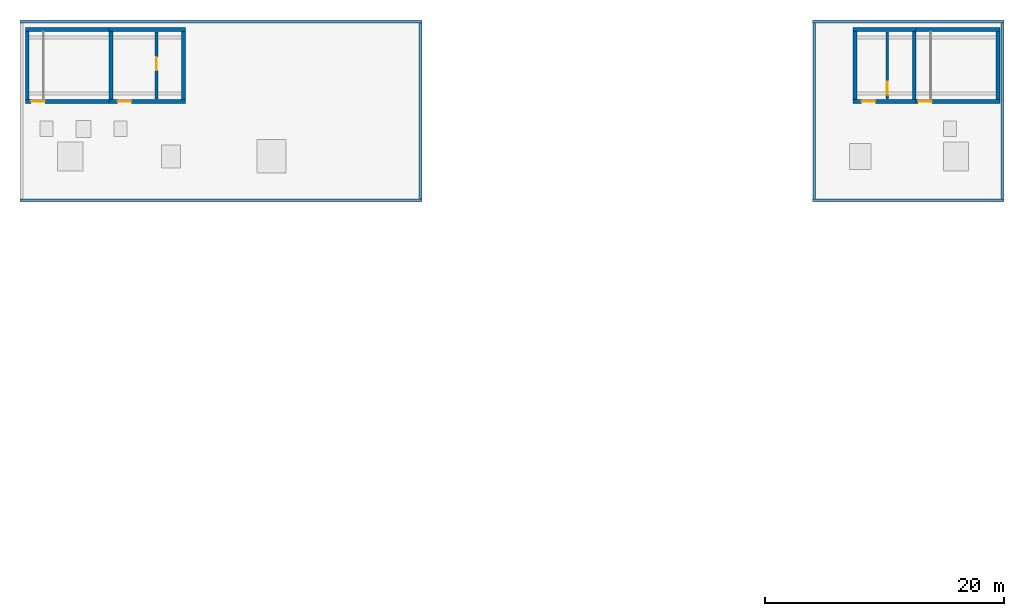
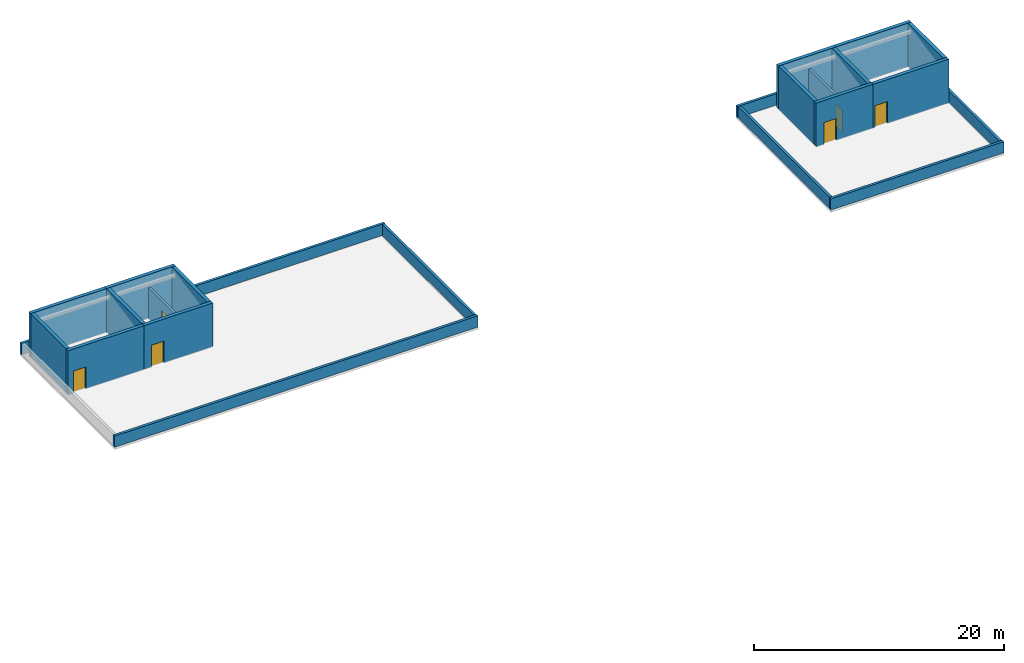
# One storey, part 14 of 19: 23 walls, 6 doors, 6 openings.
"""IFC4 building model written with IfcOpenShell, lengths in metres."""

from ifc_helpers import new_model, si_unit, direction, frame, frame_2d, origin, place, context, subcontext, project, spatial, rectangle, extrude, material, layer, layer_set, type_object, element, fill, save


model = new_model("IFC4")

# Units and contexts
model_context = context("Model", 3, precision=1e-05, world=origin(), true_north=direction((0.0, 1.0)))
body_context = subcontext(model_context, "Body", "Model", "MODEL_VIEW")
ifc_project = project(units=[si_unit("LENGTHUNIT", "METRE"), si_unit("AREAUNIT", "SQUARE_METRE"), si_unit("VOLUMEUNIT", "CUBIC_METRE"), si_unit("PLANEANGLEUNIT", "RADIAN"), si_unit("MASSUNIT", "GRAM", prefix="KILO")], contexts=[model_context])

# Site, building, storey
site_placement = place(None, origin())
site = spatial("IfcSite", under=ifc_project, at=site_placement, CompositionType="ELEMENT")
building_placement = place(site_placement, origin())
building = spatial("IfcBuilding", under=site, at=building_placement, Name="Montecoro Central Library", CompositionType="ELEMENT")
storey_placement = place(building_placement, frame((0.0, 0.0, 25.5)))
storey = spatial("IfcBuildingStorey", under=building, at=storey_placement, Name="ROOF", CompositionType="ELEMENT", Elevation=25.5)

# Wall, opening, door
ifc_material_1 = material(Name="Roman travertine and concrete C35/45", Category="masonry")
ifc_layer_1 = layer(ifc_material_1, 0.320068359375)
ifc_layer_set_1 = layer_set([ifc_layer_1], Name="Roman travertine and concrete C35/45")
wall_type_1 = type_object("IfcWallType", Name="EW-HHS-320", PredefinedType="SOLIDWALL", material=ifc_layer_set_1)
wall_1_placement = place(storey_placement, frame((82.239990234375, 112.199951171875, 0.0), z_axis=(0.0, 0.0, 1.0), x_axis=(1.0, 0.0, 0.0)))
wall_1 = element("IfcWall", 1, at=wall_1_placement, inside=storey, type_object=wall_type_1, Name="C2-ROOF-LWS", PredefinedType="SOLIDWALL", context=body_context, shape_type="SweptSolid", body=[
    extrude(rectangle(XDim=6.3701171875, YDim=0.320068359375, at=frame_2d((3.18505859375, 0.0))), origin(), (0.0, 0.0, 1.0), 4.300048828125),
])
opening_1_placement = place(wall_1_placement, frame((0.7099609375, 0.0, 0.0)))
opening_1 = element("IfcOpeningElement", 2, at=opening_1_placement, cuts=wall_1, Name="Opening ED-11", PredefinedType="OPENING", context=body_context, shape_type="SweptSolid", body=[
    extrude(rectangle(XDim=1.14990234375, YDim=2.14990234375, at=frame_2d((0.574951171875, 1.074951171875))), frame((0.0, 0.169921875, 0.0), z_axis=(0.0, -1.0, 0.0), x_axis=(1.0, 0.0, 0.0)), (0.0, 0.0, 1.0), 0.340087890625),
])
ifc_material_2 = material(Name="Thermally broken architectural bronze and safety glass", Category="glass")
door_type_1 = type_object("IfcDoorType", Name="ED-ROOF-115", OperationType="NOTDEFINED", PredefinedType="DOOR", material=ifc_material_2)
door_1_placement = place(opening_1_placement, origin())
door_1 = element("IfcDoor", 3, at=door_1_placement, inside=storey, type_object=door_type_1, Name="C2-ROOF-DLOB", OperationType="SINGLE_SWING_LEFT", OverallHeight=2.14990234375, OverallWidth=1.14990234375, PredefinedType="DOOR", context=body_context, shape_type="SweptSolid", body=[
    extrude(rectangle(XDim=1.14990234375, YDim=2.14990234375, at=frame_2d((0.574951171875, 1.074951171875))), frame((0.0, 0.02490234375, 0.0), z_axis=(0.0, -1.0, 0.0), x_axis=(1.0, 0.0, 0.0)), (0.0, 0.0, 1.0), 0.050048828125),
])
fill(opening_1, door_1)

# Walls
wall_2_placement = place(storey_placement, frame((88.610107421875, 118.199951171875, 0.0), z_axis=(0.0, 0.0, 1.0), x_axis=(-1.0, 0.0, 0.0)))
element("IfcWall", 4, at=wall_2_placement, inside=storey, type_object=wall_type_1, Name="C2-ROOF-LWN", PredefinedType="SOLIDWALL", context=body_context, shape_type="SweptSolid", body=[
    extrude(rectangle(XDim=6.3701171875, YDim=0.320068359375, at=frame_2d((3.18505859375, 0.0))), origin(), (0.0, 0.0, 1.0), 4.300048828125),
])
wall_3_placement = place(storey_placement, frame((88.449951171875, 112.360107421875, 0.0), z_axis=(0.0, 0.0, 1.0), x_axis=(0.0, 1.0, 0.0)))
element("IfcWall", 5, at=wall_3_placement, inside=storey, type_object=wall_type_1, Name="C2-ROOF-LWE", PredefinedType="SOLIDWALL", context=body_context, shape_type="SweptSolid", body=[
    extrude(rectangle(XDim=5.679931640625, YDim=0.320068359375, at=frame_2d((2.83984375, 0.0))), origin(), (0.0, 0.0, 1.0), 4.300048828125),
])

# Wall, opening, door
wall_4_placement = place(storey_placement, frame((75.239990234375, 112.199951171875, 0.0), z_axis=(0.0, 0.0, 1.0), x_axis=(1.0, 0.0, 0.0)))
wall_4 = element("IfcWall", 6, at=wall_4_placement, inside=storey, type_object=wall_type_1, Name="C2-ROOF-WS", PredefinedType="SOLIDWALL", context=body_context, shape_type="SweptSolid", body=[
    extrude(rectangle(XDim=7.320068359375, YDim=0.320068359375, at=frame_2d((3.66015625, 0.0))), origin(), (0.0, 0.0, 1.0), 4.300048828125),
])
opening_2_placement = place(wall_4_placement, frame((0.47998046875, 0.0, 0.0)))
opening_2 = element("IfcOpeningElement", 7, at=opening_2_placement, cuts=wall_4, Name="Opening ED-11", PredefinedType="OPENING", context=body_context, shape_type="SweptSolid", body=[
    extrude(rectangle(XDim=1.14990234375, YDim=2.14990234375, at=frame_2d((0.574951171875, 1.074951171875))), frame((0.0, 0.169921875, 0.0), z_axis=(0.0, -1.0, 0.0), x_axis=(1.0, 0.0, 0.0)), (0.0, 0.0, 1.0), 0.340087890625),
])
door_2_placement = place(opening_2_placement, origin())
door_2 = element("IfcDoor", 8, at=door_2_placement, inside=storey, type_object=door_type_1, Name="C2-ROOF-DOOR", OperationType="SINGLE_SWING_RIGHT", OverallHeight=2.14990234375, OverallWidth=1.14990234375, PredefinedType="DOOR", context=body_context, shape_type="SweptSolid", body=[
    extrude(rectangle(XDim=1.14990234375, YDim=2.14990234375, at=frame_2d((0.574951171875, 1.074951171875))), frame((0.0, 0.02490234375, 0.0), z_axis=(0.0, -1.0, 0.0), x_axis=(1.0, 0.0, 0.0)), (0.0, 0.0, 1.0), 0.050048828125),
])
fill(opening_2, door_2)

# Walls
wall_5_placement = place(storey_placement, frame((75.239990234375, 118.199951171875, 0.0), z_axis=(0.0, 0.0, 1.0), x_axis=(1.0, 0.0, 0.0)))
element("IfcWall", 9, at=wall_5_placement, inside=storey, type_object=wall_type_1, Name="C2-ROOF-WN", PredefinedType="SOLIDWALL", context=body_context, shape_type="SweptSolid", body=[
    extrude(rectangle(XDim=7.320068359375, YDim=0.320068359375, at=frame_2d((3.66015625, 0.0))), origin(), (0.0, 0.0, 1.0), 4.300048828125),
])
for number, where, z_axis, x_axis, name in (
    (10, (75.39990234375, 112.360107421875, 0.0), (0.0, 0.0, 1.0), (0.0, 1.0, 0.0), "C2-ROOF-WW"),
    (11, (82.39990234375, 112.360107421875, 0.0), (0.0, 0.0, 1.0), (0.0, 1.0, 0.0), "C2-ROOF-WE"),
):
    element("IfcWall", number, at=place(storey_placement, frame(where, z_axis=z_axis, x_axis=x_axis)), inside=storey, type_object=wall_type_1, Name=name, PredefinedType="SOLIDWALL", context=body_context, shape_type="SweptSolid", body=[
        extrude(rectangle(XDim=5.679931640625, YDim=0.320068359375, at=frame_2d((2.83984375, 0.0))), origin(), (0.0, 0.0, 1.0), 4.300048828125),
    ])

# Wall, opening, door
wall_6_placement = place(storey_placement, frame((144.389892578125, 112.199951171875, 0.0), z_axis=(0.0, 0.0, 1.0), x_axis=(1.0, 0.0, 0.0)))
wall_6 = element("IfcWall", 12, at=wall_6_placement, inside=storey, type_object=wall_type_1, Name="C6-ROOF-LWS", PredefinedType="SOLIDWALL", context=body_context, shape_type="SweptSolid", body=[
    extrude(rectangle(XDim=5.27001953125, YDim=0.320068359375, at=frame_2d((2.635009765625, 0.0))), origin(), (0.0, 0.0, 1.0), 4.300048828125),
])
opening_3_placement = place(wall_6_placement, frame((0.7099609375, 0.0, 0.0)))
opening_3 = element("IfcOpeningElement", 13, at=opening_3_placement, cuts=wall_6, Name="Opening ED-11", PredefinedType="OPENING", context=body_context, shape_type="SweptSolid", body=[
    extrude(rectangle(XDim=1.14990234375, YDim=2.14990234375, at=frame_2d((0.574951171875, 1.074951171875))), frame((0.0, 0.169921875, 0.0), z_axis=(0.0, -1.0, 0.0), x_axis=(1.0, 0.0, 0.0)), (0.0, 0.0, 1.0), 0.340087890625),
])
door_3_placement = place(opening_3_placement, origin())
door_3 = element("IfcDoor", 14, at=door_3_placement, inside=storey, type_object=door_type_1, Name="C6-ROOF-DLOB", OperationType="SINGLE_SWING_LEFT", OverallHeight=2.14990234375, OverallWidth=1.14990234375, PredefinedType="DOOR", context=body_context, shape_type="SweptSolid", body=[
    extrude(rectangle(XDim=1.14990234375, YDim=2.14990234375, at=frame_2d((0.574951171875, 1.074951171875))), frame((0.0, 0.02490234375, 0.0), z_axis=(0.0, -1.0, 0.0), x_axis=(1.0, 0.0, 0.0)), (0.0, 0.0, 1.0), 0.050048828125),
])
fill(opening_3, door_3)

# Walls
wall_7_placement = place(storey_placement, frame((149.659912109375, 118.199951171875, 0.0), z_axis=(0.0, 0.0, 1.0), x_axis=(-1.0, 0.0, 0.0)))
element("IfcWall", 15, at=wall_7_placement, inside=storey, type_object=wall_type_1, Name="C6-ROOF-LWN", PredefinedType="SOLIDWALL", context=body_context, shape_type="SweptSolid", body=[
    extrude(rectangle(XDim=5.27001953125, YDim=0.320068359375, at=frame_2d((2.635009765625, 0.0))), origin(), (0.0, 0.0, 1.0), 4.300048828125),
])
wall_8_placement = place(storey_placement, frame((144.550048828125, 118.0400390625, 0.0), z_axis=(0.0, 0.0, 1.0), x_axis=(0.0, -1.0, 0.0)))
element("IfcWall", 16, at=wall_8_placement, inside=storey, type_object=wall_type_1, Name="C6-ROOF-LWW", PredefinedType="SOLIDWALL", context=body_context, shape_type="SweptSolid", body=[
    extrude(rectangle(XDim=5.679931640625, YDim=0.320068359375, at=frame_2d((2.83984375, 0.0))), origin(), (0.0, 0.0, 1.0), 4.300048828125),
])

# Wall, opening, door
wall_9_placement = place(storey_placement, frame((149.340087890625, 112.199951171875, 0.0), z_axis=(0.0, 0.0, 1.0), x_axis=(1.0, 0.0, 0.0)))
wall_9 = element("IfcWall", 17, at=wall_9_placement, inside=storey, type_object=wall_type_1, Name="C6-ROOF-WS", PredefinedType="SOLIDWALL", context=body_context, shape_type="SweptSolid", body=[
    extrude(rectangle(XDim=7.31982421875, YDim=0.320068359375, at=frame_2d((3.659912109375, 0.0))), origin(), (0.0, 0.0, 1.0), 4.300048828125),
])
opening_4_placement = place(wall_9_placement, frame((0.47998046875, 0.0, 0.0)))
opening_4 = element("IfcOpeningElement", 18, at=opening_4_placement, cuts=wall_9, Name="Opening ED-11", PredefinedType="OPENING", context=body_context, shape_type="SweptSolid", body=[
    extrude(rectangle(XDim=1.14990234375, YDim=2.14990234375, at=frame_2d((0.574951171875, 1.074951171875))), frame((0.0, 0.169921875, 0.0), z_axis=(0.0, -1.0, 0.0), x_axis=(1.0, 0.0, 0.0)), (0.0, 0.0, 1.0), 0.340087890625),
])
door_4_placement = place(opening_4_placement, origin())
door_4 = element("IfcDoor", 19, at=door_4_placement, inside=storey, type_object=door_type_1, Name="C6-ROOF-DOOR", OperationType="SINGLE_SWING_RIGHT", OverallHeight=2.14990234375, OverallWidth=1.14990234375, PredefinedType="DOOR", context=body_context, shape_type="SweptSolid", body=[
    extrude(rectangle(XDim=1.14990234375, YDim=2.14990234375, at=frame_2d((0.574951171875, 1.074951171875))), frame((0.0, 0.02490234375, 0.0), z_axis=(0.0, -1.0, 0.0), x_axis=(1.0, 0.0, 0.0)), (0.0, 0.0, 1.0), 0.050048828125),
])
fill(opening_4, door_4)

# Walls
wall_10_placement = place(storey_placement, frame((149.340087890625, 118.199951171875, 0.0), z_axis=(0.0, 0.0, 1.0), x_axis=(1.0, 0.0, 0.0)))
element("IfcWall", 20, at=wall_10_placement, inside=storey, type_object=wall_type_1, Name="C6-ROOF-WN", PredefinedType="SOLIDWALL", context=body_context, shape_type="SweptSolid", body=[
    extrude(rectangle(XDim=7.31982421875, YDim=0.320068359375, at=frame_2d((3.659912109375, 0.0))), origin(), (0.0, 0.0, 1.0), 4.300048828125),
])
for number, where, z_axis, x_axis, name in (
    (21, (149.5, 112.360107421875, 0.0), (0.0, 0.0, 1.0), (0.0, 1.0, 0.0), "C6-ROOF-WW"),
    (22, (156.5, 112.360107421875, 0.0), (0.0, 0.0, 1.0), (0.0, 1.0, 0.0), "C6-ROOF-WE"),
):
    element("IfcWall", number, at=place(storey_placement, frame(where, z_axis=z_axis, x_axis=x_axis)), inside=storey, type_object=wall_type_1, Name=name, PredefinedType="SOLIDWALL", context=body_context, shape_type="SweptSolid", body=[
        extrude(rectangle(XDim=5.679931640625, YDim=0.320068359375, at=frame_2d((2.83984375, 0.0))), origin(), (0.0, 0.0, 1.0), 4.300048828125),
    ])
ifc_material_3 = material(Name="White Roman travertine stone clad concrete C32/40", Category="masonry")
ifc_layer_2 = layer(ifc_material_3, 0.235107421875)
ifc_layer_set_2 = layer_set([ifc_layer_2], Name="White Roman travertine stone clad concrete C32/40")
wall_type_2 = type_object("IfcWallType", Name="EW-PAR-235", PredefinedType="PARAPET", material=ifc_layer_set_2)
for number, where, z_axis, x_axis, name in (
    (23, (74.800048828125, 103.949951171875, 0.0), (0.0, 0.0, 1.0), (1.0, 0.0, 0.0), "V2-ROOF-PAR-S"),
    (24, (108.39990234375, 118.85009765625, 0.0), (0.0, 0.0, 1.0), (-1.0, 0.0, 0.0), "V2-ROOF-PAR-N"),
):
    element("IfcWall", number, at=place(storey_placement, frame(where, z_axis=z_axis, x_axis=x_axis)), inside=storey, type_object=wall_type_2, Name=name, PredefinedType="PARAPET", context=body_context, shape_type="SweptSolid", body=[
        extrude(rectangle(XDim=33.599853515625, YDim=0.235107421875, at=frame_2d((16.7998046875, 0.0))), origin(), (0.0, 0.0, 1.0), 1.10009765625),
    ])
wall_11_placement = place(storey_placement, frame((108.25, 104.10009765625, 0.0), z_axis=(0.0, 0.0, 1.0), x_axis=(0.0, 1.0, 0.0)))
element("IfcWall", 25, at=wall_11_placement, inside=storey, type_object=wall_type_2, Name="V2-ROOF-PAR-E", PredefinedType="PARAPET", context=body_context, shape_type="SweptSolid", body=[
    extrude(rectangle(XDim=14.599853515625, YDim=0.235107421875, at=frame_2d((7.2998046875, 0.0))), origin(), (0.0, 0.0, 1.0), 1.10009765625),
])
for number, where, z_axis, x_axis, name in (
    (26, (141.0, 103.949951171875, 0.0), (0.0, 0.0, 1.0), (1.0, 0.0, 0.0), "V5-ROOF-PAR-S"),
    (27, (157.0, 118.85009765625, 0.0), (0.0, 0.0, 1.0), (-1.0, 0.0, 0.0), "V5-ROOF-PAR-N"),
):
    element("IfcWall", number, at=place(storey_placement, frame(where, z_axis=z_axis, x_axis=x_axis)), inside=storey, type_object=wall_type_2, Name=name, PredefinedType="PARAPET", context=body_context, shape_type="SweptSolid", body=[
        extrude(rectangle(XDim=16.0, YDim=0.235107421875, at=frame_2d((8.0, 0.0))), origin(), (0.0, 0.0, 1.0), 1.10009765625),
    ])
for number, where, z_axis, x_axis, name in (
    (28, (156.85009765625, 104.10009765625, 0.0), (0.0, 0.0, 1.0), (0.0, 1.0, 0.0), "V5-ROOF-PAR-E"),
    (29, (141.14990234375, 118.699951171875, 0.0), (0.0, 0.0, 1.0), (0.0, -1.0, 0.0), "V5-ROOF-PAR-W"),
):
    element("IfcWall", number, at=place(storey_placement, frame(where, z_axis=z_axis, x_axis=x_axis)), inside=storey, type_object=wall_type_2, Name=name, PredefinedType="PARAPET", context=body_context, shape_type="SweptSolid", body=[
        extrude(rectangle(XDim=14.599853515625, YDim=0.235107421875, at=frame_2d((7.2998046875, 0.0))), origin(), (0.0, 0.0, 1.0), 1.10009765625),
    ])

# Wall, opening, door
ifc_material_4 = material(Name="Concrete C32/40", Category="concrete")
ifc_layer_3 = layer(ifc_material_4, 0.219970703125)
ifc_layer_set_3 = layer_set([ifc_layer_3], Name="Concrete C32/40")
wall_type_3 = type_object("IfcWallType", Name="IW-FFL-220", PredefinedType="SOLIDWALL", material=ifc_layer_set_3)
wall_12_placement = place(storey_placement, frame((86.199951171875, 112.39990234375, 0.0), z_axis=(0.0, 0.0, 1.0), x_axis=(0.0, 1.0, 0.0)))
wall_12 = element("IfcWall", 30, at=wall_12_placement, inside=storey, type_object=wall_type_3, Name="C2-ROOF-WLSH", PredefinedType="SOLIDWALL", context=body_context, shape_type="SweptSolid", body=[
    extrude(rectangle(XDim=5.60009765625, YDim=0.219970703125, at=frame_2d((2.800048828125, 0.0))), origin(), (0.0, 0.0, 1.0), 3.050048828125),
])
opening_5_placement = place(wall_12_placement, frame((2.39990234375, 0.0, 0.0)))
opening_5 = element("IfcOpeningElement", 31, at=opening_5_placement, cuts=wall_12, Name="Opening LD-01", PredefinedType="OPENING", context=body_context, shape_type="SweptSolid", body=[
    extrude(rectangle(XDim=1.10009765625, YDim=2.14990234375, at=frame_2d((0.550048828125, 1.074951171875))), frame((0.0, 0.119873046875, 0.0), z_axis=(0.0, -1.0, 0.0), x_axis=(1.0, 0.0, 0.0)), (0.0, 0.0, 1.0), 0.239990234375),
])
ifc_material_5 = material(Name="Solid oak and fire-rated steel door", Category="steel")
door_type_2 = type_object("IfcDoorType", Name="LD-LIFT-110", OperationType="NOTDEFINED", PredefinedType="DOOR", material=ifc_material_5)
door_5_placement = place(opening_5_placement, origin())
door_5 = element("IfcDoor", 32, at=door_5_placement, inside=storey, type_object=door_type_2, Name="C2-ROOF-LD-FFL-01", OperationType="SLIDING_TO_LEFT", OverallHeight=2.14990234375, OverallWidth=1.10009765625, PredefinedType="DOOR", context=body_context, shape_type="SweptSolid", body=[
    extrude(rectangle(XDim=1.10009765625, YDim=2.14990234375, at=frame_2d((0.550048828125, 1.074951171875))), frame((0.0, 0.02490234375, 0.0), z_axis=(0.0, -1.0, 0.0), x_axis=(1.0, 0.0, 0.0)), (0.0, 0.0, 1.0), 0.050048828125),
])
fill(opening_5, door_5)

wall_13_placement = place(storey_placement, frame((147.25, 112.39990234375, 0.0), z_axis=(0.0, 0.0, 1.0), x_axis=(0.0, 1.0, 0.0)))
wall_13 = element("IfcWall", 33, at=wall_13_placement, inside=storey, type_object=wall_type_3, Name="C6-ROOF-WLSH", PredefinedType="SOLIDWALL", context=body_context, shape_type="SweptSolid", body=[
    extrude(rectangle(XDim=5.60009765625, YDim=0.219970703125, at=frame_2d((2.800048828125, 0.0))), origin(), (0.0, 0.0, 1.0), 3.050048828125),
])
opening_6_placement = place(wall_13_placement, frame((0.35009765625, 0.0, 0.0)))
opening_6 = element("IfcOpeningElement", 34, at=opening_6_placement, cuts=wall_13, Name="Opening LD-01", PredefinedType="OPENING", context=body_context, shape_type="SweptSolid", body=[
    extrude(rectangle(XDim=1.10009765625, YDim=2.14990234375, at=frame_2d((0.550048828125, 1.074951171875))), frame((0.0, 0.119873046875, 0.0), z_axis=(0.0, -1.0, 0.0), x_axis=(1.0, 0.0, 0.0)), (0.0, 0.0, 1.0), 0.239990234375),
])
door_6_placement = place(opening_6_placement, origin())
door_6 = element("IfcDoor", 35, at=door_6_placement, inside=storey, type_object=door_type_2, Name="C6-ROOF-LD-FFL-02", OperationType="SLIDING_TO_LEFT", OverallHeight=2.14990234375, OverallWidth=1.10009765625, PredefinedType="DOOR", context=body_context, shape_type="SweptSolid", body=[
    extrude(rectangle(XDim=1.10009765625, YDim=2.14990234375, at=frame_2d((0.550048828125, 1.074951171875))), frame((0.0, 0.02490234375, 0.0), z_axis=(0.0, -1.0, 0.0), x_axis=(1.0, 0.0, 0.0)), (0.0, 0.0, 1.0), 0.050048828125),
])
fill(opening_6, door_6)

save(model, "model.ifc")
